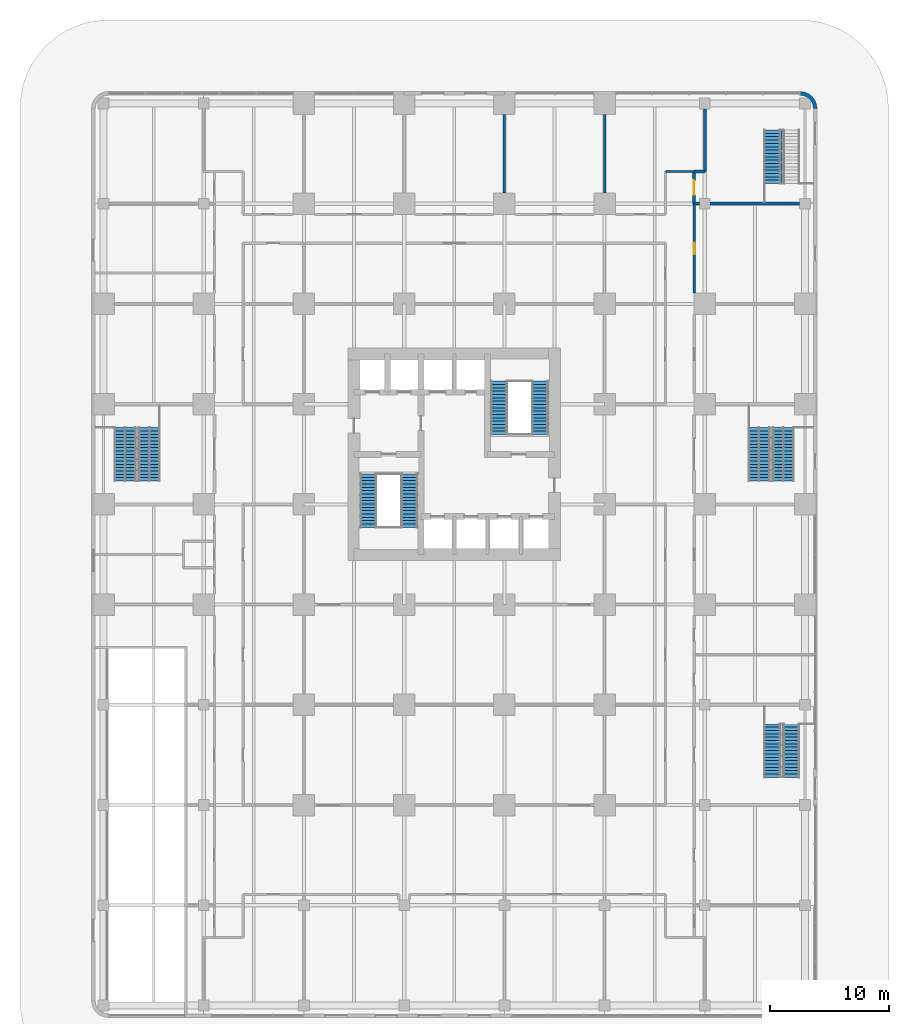
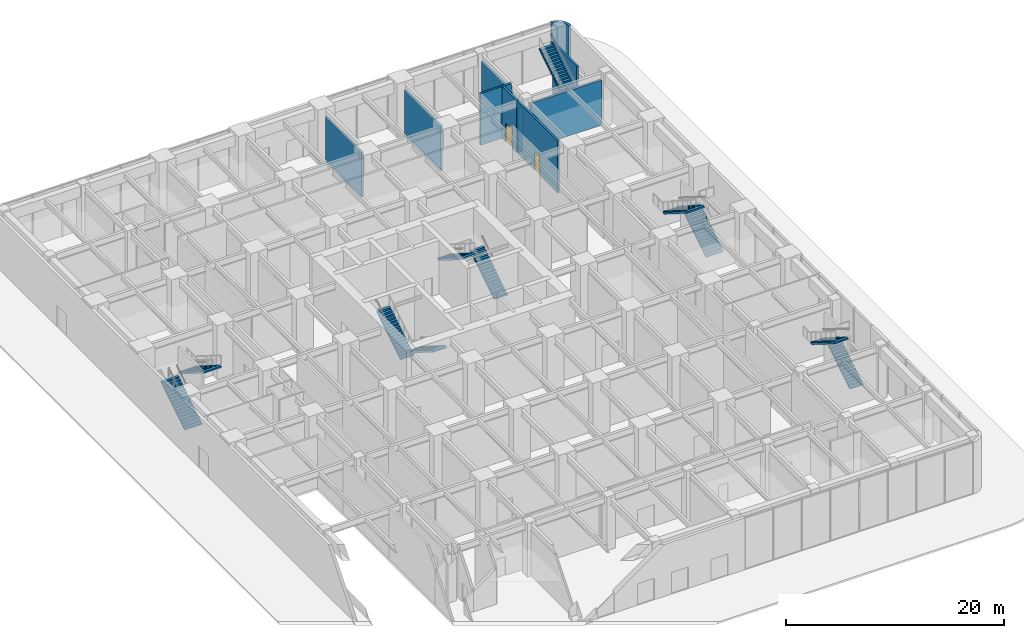
# One storey, part 16 of 21: 11 stair flights, 11 walls, 2 doors, 2 openings, 6 elements without a shape of their own.
"""IFC4 building model written with IfcOpenShell, lengths in metres."""

from ifc_helpers import new_model, si_unit, direction, frame, frame_2d, origin, place, context, subcontext, project, spatial, polyline, rectangle, outline, extrude, material, layer, layer_set, type_object, element, fill, aggregate, save


model = new_model("IFC4")

# Units and contexts
model_context = context("Model", 3, precision=1e-05, world=origin(), true_north=direction((0.0, 1.0)))
body_context = subcontext(model_context, "Body", "Model", "MODEL_VIEW")
ifc_project = project(units=[si_unit("LENGTHUNIT", "METRE"), si_unit("AREAUNIT", "SQUARE_METRE"), si_unit("VOLUMEUNIT", "CUBIC_METRE"), si_unit("PLANEANGLEUNIT", "RADIAN"), si_unit("MASSUNIT", "GRAM", prefix="KILO")], contexts=[model_context])

# Site, building, storey
site_placement = place(None, origin())
site = spatial("IfcSite", under=ifc_project, at=site_placement, CompositionType="ELEMENT")
building_placement = place(site_placement, origin())
building = spatial("IfcBuilding", under=site, at=building_placement, Name="Torre Alcanfor", CompositionType="ELEMENT")
storey_placement = place(building_placement, origin())
storey = spatial("IfcBuildingStorey", under=building, at=storey_placement, Name="L00", CompositionType="ELEMENT", Elevation=0.0)

# Walls
ifc_material_1 = material(Name="Reinforced concrete block masonry, hollow blocks NMX-C-404 9 MPa", Category="masonry")
ifc_layer_1 = layer(ifc_material_1, 0.199951171875)
ifc_layer_set_1 = layer_set([ifc_layer_1], Name="Fire separation wall 200 EI 120")
wall_type_1 = type_object("IfcWallType", Name="Fire separation wall 200 EI 120", PredefinedType="SOLIDWALL", material=ifc_layer_set_1)
for number, where, z_axis, x_axis, name in (
    (1, (33.60009765625, 57.89990234375, 0.0), (0.0, 0.0, 1.0), (0.0, -1.0, 0.0), "Partition L00-21 / L00-22"),
    (2, (42.0, 57.89990234375, 0.0), (0.0, 0.0, 1.0), (0.0, -1.0, 0.0), "Partition L00-22 / L00-26"),
):
    element("IfcWall", number, at=place(storey_placement, frame(where, z_axis=z_axis, x_axis=x_axis)), inside=storey, type_object=wall_type_1, Name=name, PredefinedType="SOLIDWALL", context=body_context, shape_type="SweptSolid", body=[
        extrude(rectangle(XDim=6.599853515625, YDim=0.199951171875, at=frame_2d((3.2998046875, 0.0))), origin(), (0.0, 0.0, 1.0), 5.043212890625),
    ])
ifc_material_2 = material(Name="Limestone cladding", Category="masonry")
ifc_layer_2 = layer(ifc_material_2, 0.0400390625, Name="Facing")
ifc_material_3 = material(Name="Ventilated air cavity")
ifc_layer_3 = layer(ifc_material_3, 0.02001953125, ventilated=True, Name="Ventilated joint")
ifc_material_4 = material(Name="Mineral wool insulation", Category="insulation")
ifc_layer_4 = layer(ifc_material_4, 0.10009765625, Name="Insulation")
ifc_material_5 = material(Name="Concrete f'c 35 MPa", Category="concrete")
ifc_layer_5 = layer(ifc_material_5, 0.139892578125, Name="Backing")
ifc_layer_set_2 = layer_set([ifc_layer_2, ifc_layer_3, ifc_layer_4, ifc_layer_5], Name="Rounded corner pier stone-clad 300")
wall_type_2 = type_object("IfcWallType", Name="Rounded corner pier stone-clad 300", PredefinedType="SOLIDWALL", material=ifc_layer_set_2)
wall_1_placement = place(storey_placement, frame((59.647901787, 58.355188981, 0.0), z_axis=(0.0, 0.0, 1.0), x_axis=(0.707106781187, 0.707106781187, 0.0)))
element("IfcWall", 3, at=wall_1_placement, inside=storey, type_object=wall_type_2, Name="Corner pier L00 5", PredefinedType="SOLIDWALL", context=body_context, shape_type="SweptSolid", body=[
    extrude(outline(polyline([(0.13920132652713502, 1.90413906500536), (-0.10075922665872938, 1.7197664960826957), (-0.08677591384717909, 1.7057831832711454), (0.09966825697349269, 1.4627152272382697), (0.20929052407638765, 1.1980680847678162), (0.2464067247490213, 0.9140859912492929), (0.20929052407638762, 0.6301038977307699), (0.09966825697349269, 0.3654567552603164), (-0.08677591384717905, 0.12238879922744068), (-0.10075922665872943, 0.1084054864158903), (0.13920132652713513, -0.07596708250677396), (0.3615532635799362, 0.21405718321427095), (0.5015590251869406, 0.5519009260809882), (0.5492058688411122, 0.914085991249293), (0.5015590251869406, 1.2762710564175979), (0.3615532635799362, 1.614114799284315), (0.13920132652713502, 1.90413906500536)])), origin(), (0.0, 0.0, 1.0), 5.800048828125),
])

# Wall, opening, door
ifc_material_6 = material(Name="Concrete block masonry, hollow blocks NMX-C-404 9 MPa", Category="masonry")
ifc_layer_6 = layer(ifc_material_6, 0.199951171875)
ifc_layer_set_3 = layer_set([ifc_layer_6], Name="School corridor wall 200")
wall_type_3 = type_object("IfcWallType", Name="School corridor wall 200", PredefinedType="PARTITIONING", material=ifc_layer_set_3)
wall_2_placement = place(storey_placement, frame((49.5, 42.89990234375, 0.0), z_axis=(0.0, 0.0, 1.0), x_axis=(0.0, 1.0, 0.0)))
wall_2 = element("IfcWall", 4, at=wall_2_placement, inside=storey, type_object=wall_type_3, Name="Partition L00-18 / L00-CORR", PredefinedType="PARTITIONING", context=body_context, shape_type="SweptSolid", body=[
    extrude(rectangle(XDim=7.5, YDim=0.199951171875, at=frame_2d((3.75, 0.0))), origin(), (0.0, 0.0, 1.0), 5.800048828125),
])
opening_1_placement = place(wall_2_placement, frame((3.25, 0.0, 0.0)))
opening_1 = element("IfcOpeningElement", 5, at=opening_1_placement, cuts=wall_2, Name="Opening D-C1", PredefinedType="OPENING", context=body_context, shape_type="SweptSolid", body=[
    extrude(rectangle(XDim=1.0, YDim=2.10009765625, at=frame_2d((0.5, 1.050048828125))), frame((0.0, 0.10986328125, 0.0), z_axis=(0.0, -1.0, 0.0), x_axis=(1.0, 0.0, 0.0)), (0.0, 0.0, 1.0), 0.219970703125),
])
ifc_material_7 = material(Name="Timber", Category="wood")
door_type_1 = type_object("IfcDoorType", Name="Classroom door 1000x2100", OperationType="SINGLE_SWING_RIGHT", PredefinedType="DOOR", material=ifc_material_7)
door_1_placement = place(opening_1_placement, frame((1.0, 0.0, 0.0), z_axis=(0.0, 0.0, 1.0), x_axis=(-1.0, 0.0, 0.0)))
door_1 = element("IfcDoor", 6, at=door_1_placement, inside=storey, type_object=door_type_1, Name="Door L00-18 first aid room", OperationType="SINGLE_SWING_RIGHT", OverallHeight=2.10009765625, OverallWidth=1.0, PredefinedType="DOOR", context=body_context, shape_type="SweptSolid", body=[
    extrude(rectangle(XDim=1.0, YDim=2.10009765625, at=frame_2d((0.5, 1.050048828125))), frame((0.0, 0.025146484375, 0.0), z_axis=(0.0, -1.0, 0.0), x_axis=(1.0, 0.0, 0.0)), (0.0, 0.0, 1.0), 0.050048828125),
])
fill(opening_1, door_1)

# Walls
wall_3_placement = place(storey_placement, frame((49.5, 53.10009765625, 0.0), z_axis=(0.0, 0.0, 1.0), x_axis=(-1.0, 0.0, 0.0)))
element("IfcWall", 7, at=wall_3_placement, inside=storey, type_object=wall_type_3, Name="Partition L00-26 / L00-CORR", PredefinedType="PARTITIONING", context=body_context, shape_type="SweptSolid", body=[
    extrude(rectangle(XDim=2.39990234375, YDim=0.199951171875, at=frame_2d((1.199951171875, 0.0))), origin(), (0.0, 0.0, 1.0), 5.800048828125),
])
ifc_material_8 = material(Name="Reinforced concrete block masonry, hollow blocks NMX-C-404 9 MPa", Category="masonry")
ifc_layer_7 = layer(ifc_material_8, 0.25)
ifc_layer_set_4 = layer_set([ifc_layer_7], Name="Stair enclosure wall 250 EI 120")
wall_type_4 = type_object("IfcWallType", Name="Stair enclosure wall 250 EI 120", PredefinedType="SOLIDWALL", material=ifc_layer_set_4)
wall_4_placement = place(storey_placement, frame((49.949951171875, 50.39990234375, 0.0), z_axis=(0.0, 0.0, 1.0), x_axis=(-1.0, 0.0, 0.0)))
element("IfcWall", 8, at=wall_4_placement, inside=storey, type_object=wall_type_4, Name="Partition L00-SS4 / L00-18", PredefinedType="SOLIDWALL", context=body_context, shape_type="SweptSolid", body=[
    extrude(rectangle(XDim=0.449951171875, YDim=0.25, at=frame_2d((0.22509765625, 0.0))), origin(), (0.0, 0.0, 1.0), 5.043212890625),
])
wall_5_placement = place(storey_placement, frame((58.35009765625, 50.39990234375, 0.0), z_axis=(0.0, 0.0, 1.0), x_axis=(-1.0, 0.0, 0.0)))
element("IfcWall", 9, at=wall_5_placement, inside=storey, type_object=wall_type_4, Name="Partition L00-SS4 / L00-18", PredefinedType="SOLIDWALL", context=body_context, shape_type="SweptSolid", body=[
    extrude(rectangle(XDim=7.5, YDim=0.25, at=frame_2d((3.75, 0.0))), origin(), (0.0, 0.0, 1.0), 5.043212890625),
])
wall_6_placement = place(storey_placement, frame((49.5, 53.10009765625, 0.0), z_axis=(0.0, 0.0, 1.0), x_axis=(1.0, 0.0, 0.0)))
element("IfcWall", 10, at=wall_6_placement, inside=storey, type_object=wall_type_4, Name="Partition L00-SS4 / L00-26", PredefinedType="SOLIDWALL", context=body_context, shape_type="SweptSolid", body=[
    extrude(rectangle(XDim=0.89990234375, YDim=0.25, at=frame_2d((0.449951171875, 0.0))), origin(), (0.0, 0.0, 1.0), 5.800048828125),
])
wall_7_placement = place(storey_placement, frame((50.39990234375, 53.10009765625, 0.0), z_axis=(0.0, 0.0, 1.0), x_axis=(0.0, 1.0, 0.0)))
element("IfcWall", 11, at=wall_7_placement, inside=storey, type_object=wall_type_4, Name="Partition L00-SS4 / L00-26", PredefinedType="SOLIDWALL", context=body_context, shape_type="SweptSolid", body=[
    extrude(rectangle(XDim=5.25, YDim=0.25, at=frame_2d((2.625, 0.0))), origin(), (0.0, 0.0, 1.0), 5.043212890625),
])

# Wall, opening, door
wall_8_placement = place(storey_placement, frame((49.5, 50.39990234375, 0.0), z_axis=(0.0, 0.0, 1.0), x_axis=(0.0, 1.0, 0.0)))
wall_8 = element("IfcWall", 12, at=wall_8_placement, inside=storey, type_object=wall_type_4, Name="Partition L00-SS4 / L00-CORR", PredefinedType="SOLIDWALL", context=body_context, shape_type="SweptSolid", body=[
    extrude(rectangle(XDim=2.7001953125, YDim=0.25, at=frame_2d((1.35009765625, 0.0))), origin(), (0.0, 0.0, 1.0), 5.800048828125),
])
opening_2_placement = place(wall_8_placement, frame((0.75, 0.0, 0.0)))
opening_2 = element("IfcOpeningElement", 13, at=opening_2_placement, cuts=wall_8, Name="Opening D-L1", PredefinedType="OPENING", context=body_context, shape_type="SweptSolid", body=[
    extrude(rectangle(XDim=1.199951171875, YDim=2.10009765625, at=frame_2d((0.60009765625, 1.050048828125))), frame((0.0, 0.135009765625, 0.0), z_axis=(0.0, -1.0, 0.0), x_axis=(1.0, 0.0, 0.0)), (0.0, 0.0, 1.0), 0.27001953125),
])
ifc_material_9 = material(Name="Galvanised steel sheet ASTM A653", Category="steel")
door_type_2 = type_object("IfcDoorType", Name="Lobby door FD120 1200x2100", OperationType="SINGLE_SWING_LEFT", PredefinedType="DOOR", material=ifc_material_9)
door_2_placement = place(opening_2_placement, origin())
door_2 = element("IfcDoor", 14, at=door_2_placement, inside=storey, type_object=door_type_2, Name="Door L00-SS4 school stair ss4", OperationType="SINGLE_SWING_RIGHT", OverallHeight=2.10009765625, OverallWidth=1.199951171875, PredefinedType="DOOR", context=body_context, shape_type="SweptSolid", body=[
    extrude(rectangle(XDim=1.199951171875, YDim=2.10009765625, at=frame_2d((0.60009765625, 1.050048828125))), frame((0.0, 0.02490234375, 0.0), z_axis=(0.0, -1.0, 0.0), x_axis=(1.0, 0.0, 0.0)), (0.0, 0.0, 1.0), 0.050048828125),
])
fill(opening_2, door_2)

# Wall
ifc_material_10 = material(Name="Concrete f'c 35 MPa", Category="concrete")
ifc_layer_8 = layer(ifc_material_10, 0.199951171875)
ifc_layer_set_5 = layer_set([ifc_layer_8], Name="Stair spine wall 200")
wall_type_5 = type_object("IfcWallType", Name="Stair spine wall 200", PredefinedType="SOLIDWALL", material=ifc_layer_set_5)
wall_9_placement = place(storey_placement, frame((56.85009765625, 56.52490234375, 0.0), z_axis=(0.0, 0.0, 1.0), x_axis=(0.0, -1.0, 0.0)))
element("IfcWall", 15, at=wall_9_placement, inside=storey, type_object=wall_type_5, Name="Stair spine wall SS4 L00", PredefinedType="SOLIDWALL", context=body_context, shape_type="SweptSolid", body=[
    extrude(rectangle(XDim=4.3798828125, YDim=0.199951171875, at=frame_2d((2.18994140625, 0.0))), origin(), (0.0, 0.0, 1.0), 6.0),
])

# Stair, stair flights
ifc_material_11 = material(Name="Concrete f'c 35 MPa", Category="concrete")
stair_type_1 = type_object("IfcStairType", Name="Exit stair S1 1400 wide", PredefinedType="HALF_TURN_STAIR", material=ifc_material_11)
stair_1_placement = place(storey_placement, origin())
stair_1 = element("IfcStair", 16, at=stair_1_placement, inside=storey, type_object=stair_type_1, Name="Stair S1 L00 to L01", PredefinedType="HALF_TURN_STAIR")
ifc_material_12 = material(Name="Concrete f'c 35 MPa", Category="concrete")
stair_flight_type_1 = type_object("IfcStairFlightType", Name="Stair flight 1400", PredefinedType="STRAIGHT", material=ifc_material_12)
stair_flight_1_placement = place(storey_placement, frame((25.64990234375, 27.75, 0.0), z_axis=(0.0, 0.0, 1.0), x_axis=(0.0, -1.0, 0.0)))
stair_flight_1 = element("IfcStairFlight", 17, at=stair_flight_1_placement, type_object=stair_flight_type_1, Name="S1 flight 1", NumberOfRisers=17, NumberOfTreads=16, PredefinedType="STRAIGHT", RiserHeight=0.176470588, TreadLength=0.28, context=body_context, shape_type="SweptSolid", body=[
    extrude(outline(polyline([(0.0, 0.0), (0.0, 0.176513671875), (0.280029296875, 0.176513671875), (0.280029296875, 0.35302734375), (0.56005859375, 0.35302734375), (0.56005859375, 0.529296875), (0.840087890625, 0.529296875), (0.840087890625, 0.705810546875), (1.1201171875, 0.705810546875), (1.1201171875, 0.88232421875), (1.39990234375, 0.88232421875), (1.39990234375, 1.058837890625), (1.679931640625, 1.058837890625), (1.679931640625, 1.2353515625), (1.9599609375, 1.2353515625), (1.9599609375, 1.411865234375), (2.239990234375, 1.411865234375), (2.239990234375, 1.588134765625), (2.52001953125, 1.588134765625), (2.52001953125, 1.7646484375), (2.800048828125, 1.7646484375), (2.800048828125, 1.941162109375), (3.080078125, 1.941162109375), (3.080078125, 2.11767578125), (3.360107421875, 2.11767578125), (3.360107421875, 2.294189453125), (3.639892578125, 2.294189453125), (3.639892578125, 2.470703125), (3.919921875, 2.470703125), (3.919921875, 2.64697265625), (4.199951171875, 2.64697265625), (4.199951171875, 2.823486328125), (4.47998046875, 2.823486328125), (4.47998046875, 3.0), (4.47998046875, 2.646240234375), (0.28125, 0.0), (0.0, 0.0)])), frame((0.0, 0.699951171875, 0.0), z_axis=(0.0, -1.0, 0.0), x_axis=(1.0, 0.0, 0.0)), (0.0, 0.0, 1.0), 1.39990234375),
])
stair_flight_2_placement = place(storey_placement, frame((22.199951171875, 23.27001953125, 3.0), z_axis=(0.0, 0.0, 1.0), x_axis=(0.0, 1.0, 0.0)))
stair_flight_2 = element("IfcStairFlight", 18, at=stair_flight_2_placement, type_object=stair_flight_type_1, Name="S1 flight 2", NumberOfRisers=17, NumberOfTreads=16, PredefinedType="STRAIGHT", RiserHeight=0.176470588, TreadLength=0.28, context=body_context, shape_type="SweptSolid", body=[
    extrude(outline(polyline([(0.0, 0.0), (0.0, 0.176513671875), (0.280029296875, 0.176513671875), (0.280029296875, 0.35302734375), (0.56005859375, 0.35302734375), (0.56005859375, 0.529296875), (0.840087890625, 0.529296875), (0.840087890625, 0.705810546875), (1.1201171875, 0.705810546875), (1.1201171875, 0.88232421875), (1.39990234375, 0.88232421875), (1.39990234375, 1.058837890625), (1.679931640625, 1.058837890625), (1.679931640625, 1.2353515625), (1.9599609375, 1.2353515625), (1.9599609375, 1.411865234375), (2.239990234375, 1.411865234375), (2.239990234375, 1.588134765625), (2.52001953125, 1.588134765625), (2.52001953125, 1.7646484375), (2.800048828125, 1.7646484375), (2.800048828125, 1.941162109375), (3.080078125, 1.941162109375), (3.080078125, 2.11767578125), (3.360107421875, 2.11767578125), (3.360107421875, 2.294189453125), (3.639892578125, 2.294189453125), (3.639892578125, 2.470703125), (3.919921875, 2.470703125), (3.919921875, 2.64697265625), (4.199951171875, 2.64697265625), (4.199951171875, 2.823486328125), (4.47998046875, 2.823486328125), (4.47998046875, 3.0), (4.47998046875, 2.646240234375), (0.28125, 0.0), (0.0, 0.0)])), frame((0.0, 0.699951171875, 0.0), z_axis=(0.0, -1.0, 0.0), x_axis=(1.0, 0.0, 0.0)), (0.0, 0.0, 1.0), 1.39990234375),
])
aggregate(stair_1, [stair_flight_1, stair_flight_2])

ifc_material_13 = material(Name="Concrete f'c 35 MPa", Category="concrete")
stair_type_2 = type_object("IfcStairType", Name="Exit stair S2 1400 wide", PredefinedType="HALF_TURN_STAIR", material=ifc_material_13)
stair_2_placement = place(storey_placement, origin())
stair_2 = element("IfcStair", 19, at=stair_2_placement, inside=storey, type_object=stair_type_2, Name="Stair S2 L00 to L01", PredefinedType="HALF_TURN_STAIR")
stair_flight_3_placement = place(storey_placement, frame((36.60009765625, 31.050048828125, 0.0), z_axis=(0.0, 0.0, 1.0), x_axis=(0.0, 1.0, 0.0)))
stair_flight_3 = element("IfcStairFlight", 20, at=stair_flight_3_placement, type_object=stair_flight_type_1, Name="S2 flight 1", NumberOfRisers=17, NumberOfTreads=16, PredefinedType="STRAIGHT", RiserHeight=0.176470588, TreadLength=0.28, context=body_context, shape_type="SweptSolid", body=[
    extrude(outline(polyline([(0.0, 0.0), (0.0, 0.176513671875), (0.280029296875, 0.176513671875), (0.280029296875, 0.35302734375), (0.56005859375, 0.35302734375), (0.56005859375, 0.529296875), (0.840087890625, 0.529296875), (0.840087890625, 0.705810546875), (1.1201171875, 0.705810546875), (1.1201171875, 0.88232421875), (1.39990234375, 0.88232421875), (1.39990234375, 1.058837890625), (1.679931640625, 1.058837890625), (1.679931640625, 1.2353515625), (1.9599609375, 1.2353515625), (1.9599609375, 1.411865234375), (2.239990234375, 1.411865234375), (2.239990234375, 1.588134765625), (2.52001953125, 1.588134765625), (2.52001953125, 1.7646484375), (2.800048828125, 1.7646484375), (2.800048828125, 1.941162109375), (3.080078125, 1.941162109375), (3.080078125, 2.11767578125), (3.360107421875, 2.11767578125), (3.360107421875, 2.294189453125), (3.639892578125, 2.294189453125), (3.639892578125, 2.470703125), (3.919921875, 2.470703125), (3.919921875, 2.64697265625), (4.199951171875, 2.64697265625), (4.199951171875, 2.823486328125), (4.47998046875, 2.823486328125), (4.47998046875, 3.0), (4.47998046875, 2.646240234375), (0.28125, 0.0), (0.0, 0.0)])), frame((0.0, 0.699951171875, 0.0), z_axis=(0.0, -1.0, 0.0), x_axis=(1.0, 0.0, 0.0)), (0.0, 0.0, 1.0), 1.39990234375),
])
stair_flight_4_placement = place(storey_placement, frame((33.14990234375, 35.530029296875, 3.0), z_axis=(0.0, 0.0, 1.0), x_axis=(0.0, -1.0, 0.0)))
stair_flight_4 = element("IfcStairFlight", 21, at=stair_flight_4_placement, type_object=stair_flight_type_1, Name="S2 flight 2", NumberOfRisers=17, NumberOfTreads=16, PredefinedType="STRAIGHT", RiserHeight=0.176470588, TreadLength=0.28, context=body_context, shape_type="SweptSolid", body=[
    extrude(outline(polyline([(0.0, 0.0), (0.0, 0.176513671875), (0.280029296875, 0.176513671875), (0.280029296875, 0.35302734375), (0.56005859375, 0.35302734375), (0.56005859375, 0.529296875), (0.840087890625, 0.529296875), (0.840087890625, 0.705810546875), (1.1201171875, 0.705810546875), (1.1201171875, 0.88232421875), (1.39990234375, 0.88232421875), (1.39990234375, 1.058837890625), (1.679931640625, 1.058837890625), (1.679931640625, 1.2353515625), (1.9599609375, 1.2353515625), (1.9599609375, 1.411865234375), (2.239990234375, 1.411865234375), (2.239990234375, 1.588134765625), (2.52001953125, 1.588134765625), (2.52001953125, 1.7646484375), (2.800048828125, 1.7646484375), (2.800048828125, 1.941162109375), (3.080078125, 1.941162109375), (3.080078125, 2.11767578125), (3.360107421875, 2.11767578125), (3.360107421875, 2.294189453125), (3.639892578125, 2.294189453125), (3.639892578125, 2.470703125), (3.919921875, 2.470703125), (3.919921875, 2.64697265625), (4.199951171875, 2.64697265625), (4.199951171875, 2.823486328125), (4.47998046875, 2.823486328125), (4.47998046875, 3.0), (4.47998046875, 2.646240234375), (0.28125, 0.0), (0.0, 0.0)])), frame((0.0, 0.699951171875, 0.0), z_axis=(0.0, -1.0, 0.0), x_axis=(1.0, 0.0, 0.0)), (0.0, 0.0, 1.0), 1.39990234375),
])
aggregate(stair_2, [stair_flight_3, stair_flight_4])

ifc_material_14 = material(Name="Concrete f'c 35 MPa", Category="concrete")
stair_type_3 = type_object("IfcStairType", Name="Exit stair SS3 1400 wide", PredefinedType="HALF_TURN_STAIR", material=ifc_material_14)
stair_3_placement = place(storey_placement, origin())
stair_3 = element("IfcStair", 22, at=stair_3_placement, inside=storey, type_object=stair_type_3, Name="Stair SS3 L00 to L01", PredefinedType="HALF_TURN_STAIR")
stair_flight_5_placement = place(storey_placement, frame((57.64990234375, 2.324951171875, 0.0), z_axis=(0.0, 0.0, 1.0), x_axis=(0.0, 1.0, 0.0)))
stair_flight_5 = element("IfcStairFlight", 23, at=stair_flight_5_placement, type_object=stair_flight_type_1, Name="SS3 flight 1", NumberOfRisers=17, NumberOfTreads=16, PredefinedType="STRAIGHT", RiserHeight=0.176470588, TreadLength=0.28, context=body_context, shape_type="SweptSolid", body=[
    extrude(outline(polyline([(0.0, 0.0), (0.0, 0.176513671875), (0.280029296875, 0.176513671875), (0.280029296875, 0.35302734375), (0.56005859375, 0.35302734375), (0.56005859375, 0.529296875), (0.840087890625, 0.529296875), (0.840087890625, 0.705810546875), (1.1201171875, 0.705810546875), (1.1201171875, 0.88232421875), (1.39990234375, 0.88232421875), (1.39990234375, 1.058837890625), (1.679931640625, 1.058837890625), (1.679931640625, 1.2353515625), (1.9599609375, 1.2353515625), (1.9599609375, 1.411865234375), (2.239990234375, 1.411865234375), (2.239990234375, 1.588134765625), (2.52001953125, 1.588134765625), (2.52001953125, 1.7646484375), (2.800048828125, 1.7646484375), (2.800048828125, 1.941162109375), (3.080078125, 1.941162109375), (3.080078125, 2.11767578125), (3.360107421875, 2.11767578125), (3.360107421875, 2.294189453125), (3.639892578125, 2.294189453125), (3.639892578125, 2.470703125), (3.919921875, 2.470703125), (3.919921875, 2.64697265625), (4.199951171875, 2.64697265625), (4.199951171875, 2.823486328125), (4.47998046875, 2.823486328125), (4.47998046875, 3.0), (4.47998046875, 2.646240234375), (0.28125, 0.0), (0.0, 0.0)])), frame((0.0, 0.699951171875, 0.0), z_axis=(0.0, -1.0, 0.0), x_axis=(1.0, 0.0, 0.0)), (0.0, 0.0, 1.0), 1.39990234375),
])
stair_flight_6_placement = place(storey_placement, frame((56.050048828125, 6.804931640625, 3.0), z_axis=(0.0, 0.0, 1.0), x_axis=(0.0, -1.0, 0.0)))
stair_flight_6 = element("IfcStairFlight", 24, at=stair_flight_6_placement, type_object=stair_flight_type_1, Name="SS3 flight 2", NumberOfRisers=17, NumberOfTreads=16, PredefinedType="STRAIGHT", RiserHeight=0.176470588, TreadLength=0.28, context=body_context, shape_type="SweptSolid", body=[
    extrude(outline(polyline([(0.0, 0.0), (0.0, 0.176513671875), (0.280029296875, 0.176513671875), (0.280029296875, 0.35302734375), (0.56005859375, 0.35302734375), (0.56005859375, 0.529296875), (0.840087890625, 0.529296875), (0.840087890625, 0.705810546875), (1.1201171875, 0.705810546875), (1.1201171875, 0.88232421875), (1.39990234375, 0.88232421875), (1.39990234375, 1.058837890625), (1.679931640625, 1.058837890625), (1.679931640625, 1.2353515625), (1.9599609375, 1.2353515625), (1.9599609375, 1.411865234375), (2.239990234375, 1.411865234375), (2.239990234375, 1.588134765625), (2.52001953125, 1.588134765625), (2.52001953125, 1.7646484375), (2.800048828125, 1.7646484375), (2.800048828125, 1.941162109375), (3.080078125, 1.941162109375), (3.080078125, 2.11767578125), (3.360107421875, 2.11767578125), (3.360107421875, 2.294189453125), (3.639892578125, 2.294189453125), (3.639892578125, 2.470703125), (3.919921875, 2.470703125), (3.919921875, 2.64697265625), (4.199951171875, 2.64697265625), (4.199951171875, 2.823486328125), (4.47998046875, 2.823486328125), (4.47998046875, 3.0), (4.47998046875, 2.646240234375), (0.28125, 0.0), (0.0, 0.0)])), frame((0.0, 0.699951171875, 0.0), z_axis=(0.0, -1.0, 0.0), x_axis=(1.0, 0.0, 0.0)), (0.0, 0.0, 1.0), 1.39990234375),
])
aggregate(stair_3, [stair_flight_5, stair_flight_6])

# Stair, stair flight
ifc_material_15 = material(Name="Concrete f'c 35 MPa", Category="concrete")
stair_type_4 = type_object("IfcStairType", Name="Exit stair SS4 1400 wide", PredefinedType="HALF_TURN_STAIR", material=ifc_material_15)
stair_4_placement = place(storey_placement, origin())
stair_4 = element("IfcStair", 25, at=stair_4_placement, inside=storey, type_object=stair_type_4, Name="Stair SS4 L00 to L01", PredefinedType="HALF_TURN_STAIR")
stair_flight_7_placement = place(storey_placement, frame((56.050048828125, 52.094970703125, 3.0), z_axis=(0.0, 0.0, 1.0), x_axis=(0.0, 1.0, 0.0)))
stair_flight_7 = element("IfcStairFlight", 26, at=stair_flight_7_placement, type_object=stair_flight_type_1, Name="SS4 flight 2", NumberOfRisers=17, NumberOfTreads=16, PredefinedType="STRAIGHT", RiserHeight=0.176470588, TreadLength=0.28, context=body_context, shape_type="SweptSolid", body=[
    extrude(outline(polyline([(0.0, 0.0), (0.0, 0.176513671875), (0.280029296875, 0.176513671875), (0.280029296875, 0.35302734375), (0.56005859375, 0.35302734375), (0.56005859375, 0.529296875), (0.840087890625, 0.529296875), (0.840087890625, 0.705810546875), (1.1201171875, 0.705810546875), (1.1201171875, 0.88232421875), (1.39990234375, 0.88232421875), (1.39990234375, 1.058837890625), (1.679931640625, 1.058837890625), (1.679931640625, 1.2353515625), (1.9599609375, 1.2353515625), (1.9599609375, 1.411865234375), (2.239990234375, 1.411865234375), (2.239990234375, 1.588134765625), (2.52001953125, 1.588134765625), (2.52001953125, 1.7646484375), (2.800048828125, 1.7646484375), (2.800048828125, 1.941162109375), (3.080078125, 1.941162109375), (3.080078125, 2.11767578125), (3.360107421875, 2.11767578125), (3.360107421875, 2.294189453125), (3.639892578125, 2.294189453125), (3.639892578125, 2.470703125), (3.919921875, 2.470703125), (3.919921875, 2.64697265625), (4.199951171875, 2.64697265625), (4.199951171875, 2.823486328125), (4.47998046875, 2.823486328125), (4.47998046875, 3.0), (4.47998046875, 2.646240234375), (0.28125, 0.0), (0.0, 0.0)])), frame((0.0, 0.699951171875, 0.0), z_axis=(0.0, -1.0, 0.0), x_axis=(1.0, 0.0, 0.0)), (0.0, 0.0, 1.0), 1.39990234375),
])
aggregate(stair_4, [stair_flight_7])

# Stair, stair flights
ifc_material_16 = material(Name="Concrete f'c 35 MPa", Category="concrete")
stair_type_5 = type_object("IfcStairType", Name="Exit stair SS1 1830 wide", PredefinedType="HALF_TURN_STAIR", material=ifc_material_16)
stair_5_placement = place(storey_placement, origin())
stair_5 = element("IfcStair", 27, at=stair_5_placement, inside=storey, type_object=stair_type_5, Name="Stair SS1 L00 to L01", PredefinedType="HALF_TURN_STAIR")
ifc_material_17 = material(Name="Concrete f'c 35 MPa", Category="concrete")
stair_flight_type_2 = type_object("IfcStairFlightType", Name="Stair flight 1830", PredefinedType="STRAIGHT", material=ifc_material_17)
stair_flight_8_placement = place(storey_placement, frame((1.81494140625, 27.155029296875, 0.0), z_axis=(0.0, 0.0, 1.0), x_axis=(0.0, 1.0, 0.0)))
stair_flight_8 = element("IfcStairFlight", 28, at=stair_flight_8_placement, type_object=stair_flight_type_2, Name="SS1 flight 1", NumberOfRisers=17, NumberOfTreads=16, PredefinedType="STRAIGHT", RiserHeight=0.176470588, TreadLength=0.28, context=body_context, shape_type="SweptSolid", body=[
    extrude(outline(polyline([(0.0, 0.0), (0.0, 0.176513671875), (0.280029296875, 0.176513671875), (0.280029296875, 0.35302734375), (0.56005859375, 0.35302734375), (0.56005859375, 0.529296875), (0.840087890625, 0.529296875), (0.840087890625, 0.705810546875), (1.1201171875, 0.705810546875), (1.1201171875, 0.88232421875), (1.39990234375, 0.88232421875), (1.39990234375, 1.058837890625), (1.679931640625, 1.058837890625), (1.679931640625, 1.2353515625), (1.9599609375, 1.2353515625), (1.9599609375, 1.411865234375), (2.239990234375, 1.411865234375), (2.239990234375, 1.588134765625), (2.52001953125, 1.588134765625), (2.52001953125, 1.7646484375), (2.800048828125, 1.7646484375), (2.800048828125, 1.941162109375), (3.080078125, 1.941162109375), (3.080078125, 2.11767578125), (3.360107421875, 2.11767578125), (3.360107421875, 2.294189453125), (3.639892578125, 2.294189453125), (3.639892578125, 2.470703125), (3.919921875, 2.470703125), (3.919921875, 2.64697265625), (4.199951171875, 2.64697265625), (4.199951171875, 2.823486328125), (4.47998046875, 2.823486328125), (4.47998046875, 3.0), (4.47998046875, 2.646240234375), (0.28125, 0.0), (0.0, 0.0)])), frame((0.0, 0.9150390625, 0.0), z_axis=(0.0, -1.0, 0.0), x_axis=(1.0, 0.0, 0.0)), (0.0, 0.0, 1.0), 1.830078125),
])
stair_flight_9_placement = place(storey_placement, frame((3.844970703125, 31.635009765625, 3.0), z_axis=(0.0, 0.0, 1.0), x_axis=(0.0, -1.0, 0.0)))
stair_flight_9 = element("IfcStairFlight", 29, at=stair_flight_9_placement, type_object=stair_flight_type_2, Name="SS1 flight 2", NumberOfRisers=17, NumberOfTreads=16, PredefinedType="STRAIGHT", RiserHeight=0.176470588, TreadLength=0.28, context=body_context, shape_type="SweptSolid", body=[
    extrude(outline(polyline([(0.0, 0.0), (0.0, 0.176513671875), (0.280029296875, 0.176513671875), (0.280029296875, 0.35302734375), (0.56005859375, 0.35302734375), (0.56005859375, 0.529296875), (0.840087890625, 0.529296875), (0.840087890625, 0.705810546875), (1.1201171875, 0.705810546875), (1.1201171875, 0.88232421875), (1.39990234375, 0.88232421875), (1.39990234375, 1.058837890625), (1.679931640625, 1.058837890625), (1.679931640625, 1.2353515625), (1.9599609375, 1.2353515625), (1.9599609375, 1.411865234375), (2.239990234375, 1.411865234375), (2.239990234375, 1.588134765625), (2.52001953125, 1.588134765625), (2.52001953125, 1.7646484375), (2.800048828125, 1.7646484375), (2.800048828125, 1.941162109375), (3.080078125, 1.941162109375), (3.080078125, 2.11767578125), (3.360107421875, 2.11767578125), (3.360107421875, 2.294189453125), (3.639892578125, 2.294189453125), (3.639892578125, 2.470703125), (3.919921875, 2.470703125), (3.919921875, 2.64697265625), (4.199951171875, 2.64697265625), (4.199951171875, 2.823486328125), (4.47998046875, 2.823486328125), (4.47998046875, 3.0), (4.47998046875, 2.646240234375), (0.28125, 0.0), (0.0, 0.0)])), frame((0.0, 0.9150390625, 0.0), z_axis=(0.0, -1.0, 0.0), x_axis=(1.0, 0.0, 0.0)), (0.0, 0.0, 1.0), 1.830078125),
])
aggregate(stair_5, [stair_flight_8, stair_flight_9])

ifc_material_18 = material(Name="Concrete f'c 35 MPa", Category="concrete")
stair_type_6 = type_object("IfcStairType", Name="Exit stair SS2 1830 wide", PredefinedType="HALF_TURN_STAIR", material=ifc_material_18)
stair_6_placement = place(storey_placement, origin())
stair_6 = element("IfcStair", 30, at=stair_6_placement, inside=storey, type_object=stair_type_6, Name="Stair SS2 L00 to L01", PredefinedType="HALF_TURN_STAIR")
stair_flight_10_placement = place(storey_placement, frame((56.985107421875, 27.155029296875, 0.0), z_axis=(0.0, 0.0, 1.0), x_axis=(0.0, 1.0, 0.0)))
stair_flight_10 = element("IfcStairFlight", 31, at=stair_flight_10_placement, type_object=stair_flight_type_2, Name="SS2 flight 1", NumberOfRisers=17, NumberOfTreads=16, PredefinedType="STRAIGHT", RiserHeight=0.176470588, TreadLength=0.28, context=body_context, shape_type="SweptSolid", body=[
    extrude(outline(polyline([(0.0, 0.0), (0.0, 0.176513671875), (0.280029296875, 0.176513671875), (0.280029296875, 0.35302734375), (0.56005859375, 0.35302734375), (0.56005859375, 0.529296875), (0.840087890625, 0.529296875), (0.840087890625, 0.705810546875), (1.1201171875, 0.705810546875), (1.1201171875, 0.88232421875), (1.39990234375, 0.88232421875), (1.39990234375, 1.058837890625), (1.679931640625, 1.058837890625), (1.679931640625, 1.2353515625), (1.9599609375, 1.2353515625), (1.9599609375, 1.411865234375), (2.239990234375, 1.411865234375), (2.239990234375, 1.588134765625), (2.52001953125, 1.588134765625), (2.52001953125, 1.7646484375), (2.800048828125, 1.7646484375), (2.800048828125, 1.941162109375), (3.080078125, 1.941162109375), (3.080078125, 2.11767578125), (3.360107421875, 2.11767578125), (3.360107421875, 2.294189453125), (3.639892578125, 2.294189453125), (3.639892578125, 2.470703125), (3.919921875, 2.470703125), (3.919921875, 2.64697265625), (4.199951171875, 2.64697265625), (4.199951171875, 2.823486328125), (4.47998046875, 2.823486328125), (4.47998046875, 3.0), (4.47998046875, 2.646240234375), (0.28125, 0.0), (0.0, 0.0)])), frame((0.0, 0.9150390625, 0.0), z_axis=(0.0, -1.0, 0.0), x_axis=(1.0, 0.0, 0.0)), (0.0, 0.0, 1.0), 1.830078125),
])
stair_flight_11_placement = place(storey_placement, frame((54.955078125, 31.635009765625, 3.0), z_axis=(0.0, 0.0, 1.0), x_axis=(0.0, -1.0, 0.0)))
stair_flight_11 = element("IfcStairFlight", 32, at=stair_flight_11_placement, type_object=stair_flight_type_2, Name="SS2 flight 2", NumberOfRisers=17, NumberOfTreads=16, PredefinedType="STRAIGHT", RiserHeight=0.176470588, TreadLength=0.28, context=body_context, shape_type="SweptSolid", body=[
    extrude(outline(polyline([(0.0, 0.0), (0.0, 0.176513671875), (0.280029296875, 0.176513671875), (0.280029296875, 0.35302734375), (0.56005859375, 0.35302734375), (0.56005859375, 0.529296875), (0.840087890625, 0.529296875), (0.840087890625, 0.705810546875), (1.1201171875, 0.705810546875), (1.1201171875, 0.88232421875), (1.39990234375, 0.88232421875), (1.39990234375, 1.058837890625), (1.679931640625, 1.058837890625), (1.679931640625, 1.2353515625), (1.9599609375, 1.2353515625), (1.9599609375, 1.411865234375), (2.239990234375, 1.411865234375), (2.239990234375, 1.588134765625), (2.52001953125, 1.588134765625), (2.52001953125, 1.7646484375), (2.800048828125, 1.7646484375), (2.800048828125, 1.941162109375), (3.080078125, 1.941162109375), (3.080078125, 2.11767578125), (3.360107421875, 2.11767578125), (3.360107421875, 2.294189453125), (3.639892578125, 2.294189453125), (3.639892578125, 2.470703125), (3.919921875, 2.470703125), (3.919921875, 2.64697265625), (4.199951171875, 2.64697265625), (4.199951171875, 2.823486328125), (4.47998046875, 2.823486328125), (4.47998046875, 3.0), (4.47998046875, 2.646240234375), (0.28125, 0.0), (0.0, 0.0)])), frame((0.0, 0.9150390625, 0.0), z_axis=(0.0, -1.0, 0.0), x_axis=(1.0, 0.0, 0.0)), (0.0, 0.0, 1.0), 1.830078125),
])
aggregate(stair_6, [stair_flight_10, stair_flight_11])

save(model, "model.ifc")
